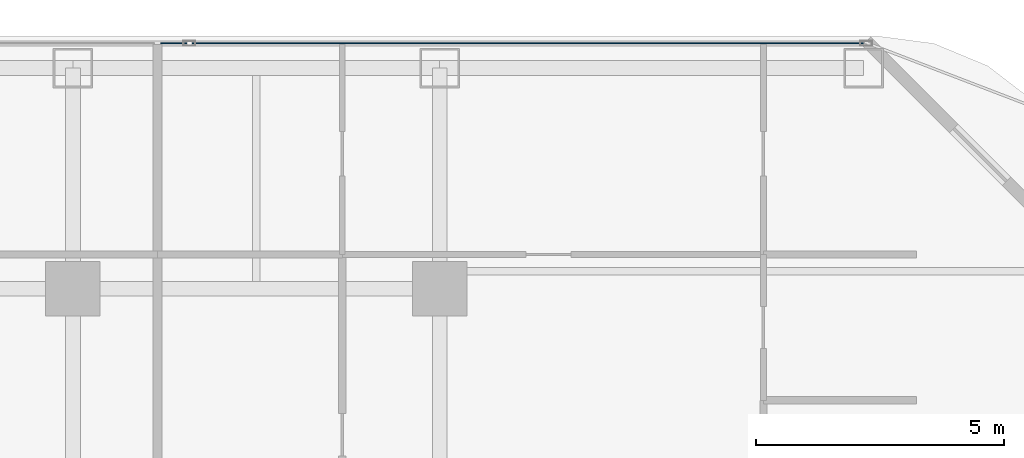
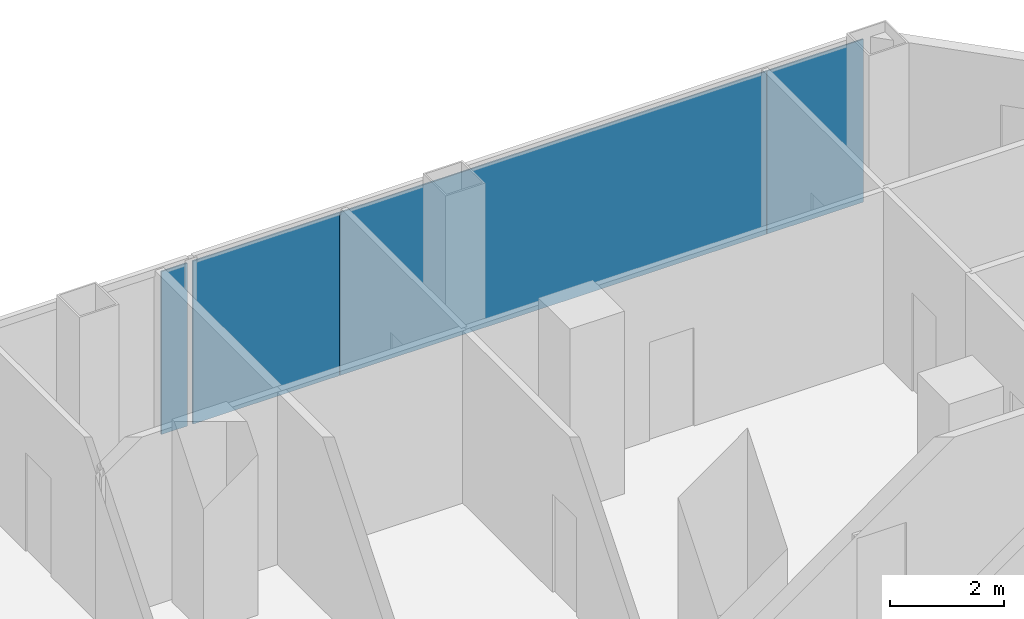
# One storey, part 19 of 30: 4 plates, 1 element without a shape of its own.
"""IFC4 building model written with IfcOpenShell, lengths in metres."""

from ifc_helpers import new_model, si_unit, direction, frame, origin, origin_2d, place, context, subcontext, project, spatial, rectangle, extrude, material, layer, layer_set, type_object, element, aggregate, save


model = new_model("IFC4")

# Units and contexts
model_context = context("Model", 3, precision=1e-05, world=origin(), true_north=direction((0.0, 1.0)))
body_context = subcontext(model_context, "Body", "Model", "MODEL_VIEW")
ifc_project = project(units=[si_unit("LENGTHUNIT", "METRE"), si_unit("AREAUNIT", "SQUARE_METRE"), si_unit("VOLUMEUNIT", "CUBIC_METRE"), si_unit("PLANEANGLEUNIT", "RADIAN"), si_unit("MASSUNIT", "GRAM", prefix="KILO")], contexts=[model_context])

# Site, building, storey
site_placement = place(None, origin())
site = spatial("IfcSite", under=ifc_project, at=site_placement, CompositionType="ELEMENT")
building_placement = place(site_placement, origin())
building = spatial("IfcBuilding", under=site, at=building_placement, Name="Khorvyn Point Tower", CompositionType="ELEMENT")
storey_placement = place(building_placement, frame((0.0, 0.0, 30.60009765625)))
storey = spatial("IfcBuildingStorey", under=building, at=storey_placement, Name="L08", CompositionType="ELEMENT", Elevation=30.60009765625)

# Curtain wall, plates
ifc_material_1 = material(Name="Anodised aluminium 6063-T6 and laminated Low-E glass", Category="aluminium")
ifc_layer_1 = layer(ifc_material_1, 0.18994140625)
ifc_layer_set_1 = layer_set([ifc_layer_1], Name="Stick-Built Finned Residential Curtain Wall CW-SYS-02")
curtain_wall_type = type_object("IfcCurtainWallType", Name="Stick-Built Finned Residential Curtain Wall CW-SYS-02", PredefinedType="NOTDEFINED", material=ifc_layer_set_1)
curtain_wall_placement = place(storey_placement, origin())
curtain_wall = element("IfcCurtainWall", 1, at=curtain_wall_placement, inside=storey, type_object=curtain_wall_type, Name="Curtain Wall", PredefinedType="NOTDEFINED")
ifc_material_2 = material(Name="Laminated Low-E insulated glass", Category="glass")
ifc_layer_2 = layer(ifc_material_2, 0.028076171875)
ifc_layer_set_2 = layer_set([ifc_layer_2], Name="Tempered Low-E Vision Glazing Panel CW-GL28")
plate_type = type_object("IfcPlateType", Name="Tempered Low-E Vision Glazing Panel CW-GL28", PredefinedType="CURTAIN_PANEL", material=ifc_layer_set_2)
plate_1_placement = place(storey_placement, frame((9.4326171875, 25.050048828125, 0.099853515625), z_axis=(0.0, 0.0, 1.0), x_axis=(1.0, 0.0, 0.0)))
plate_1 = element("IfcPlate", 2, at=plate_1_placement, type_object=plate_type, Name="Panel", PredefinedType="CURTAIN_PANEL", context=body_context, shape_type="SweptSolid", body=[
    extrude(rectangle(XDim=0.527099609375, YDim=0.028076171875, at=origin_2d()), origin(), (0.0, 0.0, 1.0), 3.47998046875),
])
plate_2_placement = place(storey_placement, frame((11.287109375, 25.050048828125, 0.099853515625), z_axis=(0.0, 0.0, 1.0), x_axis=(1.0, 0.0, 0.0)))
plate_2 = element("IfcPlate", 3, at=plate_2_placement, type_object=plate_type, Name="Panel", PredefinedType="CURTAIN_PANEL", context=body_context, shape_type="SweptSolid", body=[
    extrude(rectangle(XDim=2.966064453125, YDim=0.028076171875, at=origin_2d()), origin(), (0.0, 0.0, 1.0), 3.47998046875),
])
plate_3_placement = place(storey_placement, frame((17.08203125, 25.050048828125, 0.099853515625), z_axis=(0.0, 0.0, 1.0), x_axis=(1.0, 0.0, 0.0)))
plate_3 = element("IfcPlate", 4, at=plate_3_placement, type_object=plate_type, Name="Panel", PredefinedType="CURTAIN_PANEL", context=body_context, shape_type="SweptSolid", body=[
    extrude(rectangle(XDim=8.60791015625, YDim=0.028076171875, at=origin_2d()), origin(), (0.0, 0.0, 1.0), 3.47998046875),
])
plate_4_placement = place(storey_placement, frame((22.3701171875, 25.050048828125, 0.099853515625), z_axis=(0.0, 0.0, 1.0), x_axis=(1.0, 0.0, 0.0)))
plate_4 = element("IfcPlate", 5, at=plate_4_placement, type_object=plate_type, Name="Panel", PredefinedType="CURTAIN_PANEL", context=body_context, shape_type="SweptSolid", body=[
    extrude(rectangle(XDim=1.951904296875, YDim=0.028076171875, at=origin_2d()), origin(), (0.0, 0.0, 1.0), 3.47998046875),
])
aggregate(curtain_wall, [plate_1, plate_2, plate_3, plate_4])

save(model, "model.ifc")
